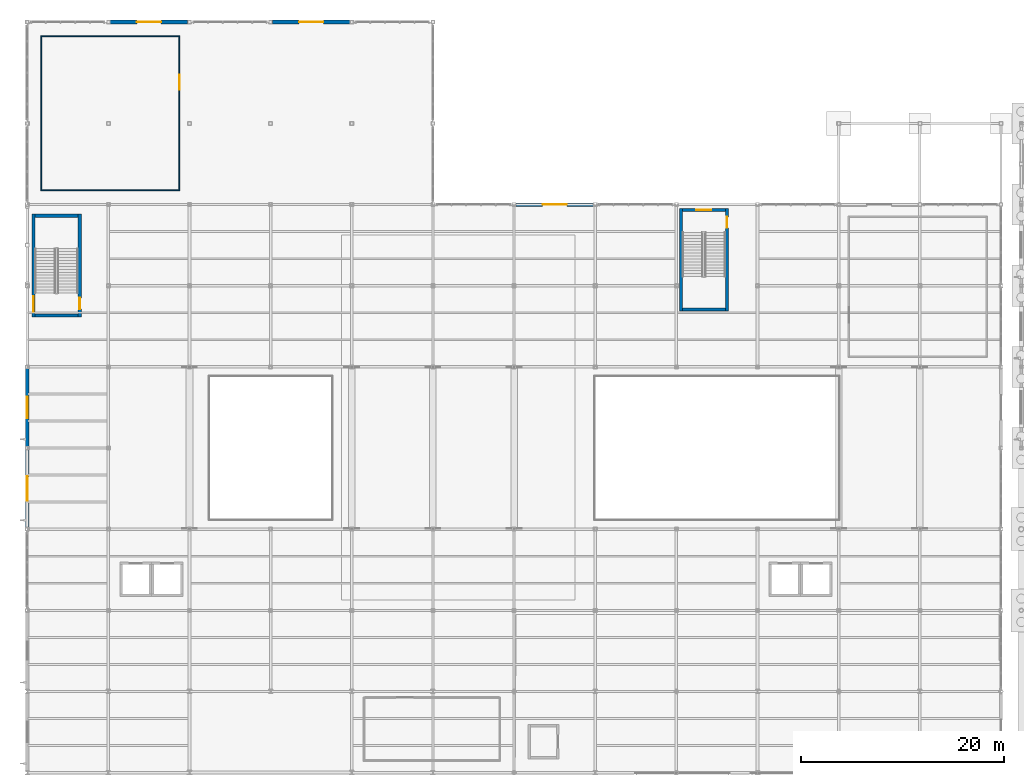
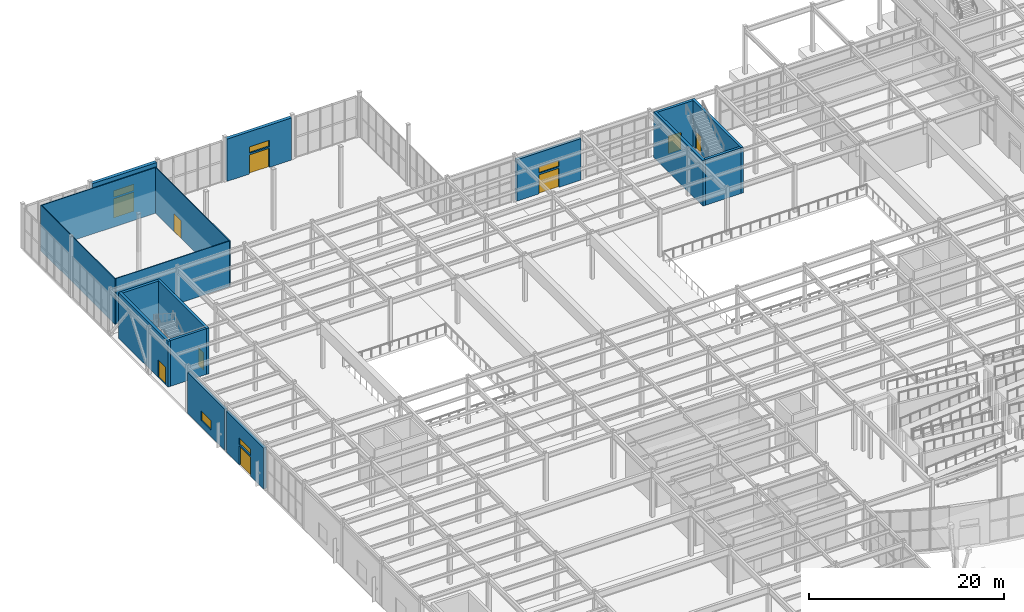
# One storey, part 62 of 82: 17 walls, 9 doors, 5 windows, 14 openings.
"""IFC4 building model written with IfcOpenShell, lengths in metres."""

from ifc_helpers import new_model, si_unit, direction, frame, frame_2d, origin, place, context, subcontext, project, spatial, rectangle, extrude, material, layer, layer_set, type_object, element, fill, save


model = new_model("IFC4")

# Units and contexts
model_context = context("Model", 3, precision=1e-05, world=origin(), true_north=direction((0.0, 1.0)))
body_context = subcontext(model_context, "Body", "Model", "MODEL_VIEW")
ifc_project = project(units=[si_unit("LENGTHUNIT", "METRE"), si_unit("AREAUNIT", "SQUARE_METRE"), si_unit("VOLUMEUNIT", "CUBIC_METRE"), si_unit("PLANEANGLEUNIT", "RADIAN"), si_unit("MASSUNIT", "GRAM", prefix="KILO")], contexts=[model_context])

# Site, building, storey
site_placement = place(None, origin())
site = spatial("IfcSite", under=ifc_project, at=site_placement, CompositionType="ELEMENT")
building_placement = place(site_placement, origin())
building = spatial("IfcBuilding", under=site, at=building_placement, Name="Drelvath Fold Interchange", CompositionType="ELEMENT")
storey_placement = place(building_placement, origin())
storey = spatial("IfcBuildingStorey", under=building, at=storey_placement, Name="L00", CompositionType="ELEMENT", Elevation=0.0)

# Wall
ifc_material_1 = material(Name="Concrete f'c 45 MPa (6500 psi)", Category="concrete")
ifc_layer_1 = layer(ifc_material_1, 0.300048828125, Name="Concrete f'c 45 MPa (6500 psi)")
ifc_layer_set_1 = layer_set([ifc_layer_1], Name="Concrete f'c 45 MPa (6500 psi)")
wall_type_1 = type_object("IfcWallType", Name="WL-CR300", PredefinedType="SHEAR", material=ifc_layer_set_1)
wall_1_placement = place(storey_placement, frame((4.75, 88.050048828125, 0.0), z_axis=(0.0, 0.0, 1.0), x_axis=(1.0, 0.0, 0.0)))
element("IfcWall", 1, at=wall_1_placement, inside=storey, type_object=wall_type_1, Name="ST-05 L00 south core wall", PredefinedType="SHEAR", context=body_context, shape_type="SweptSolid", body=[
    extrude(rectangle(XDim=4.280029296875, YDim=0.300048828125, at=frame_2d((2.14013671875, 0.0))), origin(), (0.0, 0.0, 1.0), 5.7548828125),
])

# Wall, opening, door
wall_2_placement = place(storey_placement, frame((9.179931640625, 87.89990234375, 0.0), z_axis=(0.0, 0.0, 1.0), x_axis=(0.0, 1.0, 0.0)))
wall_2 = element("IfcWall", 2, at=wall_2_placement, inside=storey, type_object=wall_type_1, Name="ST-05 L00 east core wall", PredefinedType="SHEAR", context=body_context, shape_type="SweptSolid", body=[
    extrude(rectangle(XDim=10.150146484375, YDim=0.300048828125, at=frame_2d((5.0751953125, 0.0))), origin(), (0.0, 0.0, 1.0), 5.7548828125),
])
opening_1_placement = place(wall_2_placement, frame((0.800048828125, 0.0, 0.0)))
opening_1 = element("IfcOpeningElement", 3, at=opening_1_placement, cuts=wall_2, Name="Opening D-L00-034", PredefinedType="OPENING", context=body_context, shape_type="SweptSolid", body=[
    extrude(rectangle(XDim=1.10009765625, YDim=2.14990234375, at=frame_2d((0.550048828125, 1.074951171875))), frame((0.0, 0.159912109375, 0.0), z_axis=(0.0, -1.0, 0.0), x_axis=(1.0, 0.0, 0.0)), (0.0, 0.0, 1.0), 0.320068359375),
])
ifc_material_2 = material(Name="Insulated Hollow Metal Door Assembly")
door_type_1 = type_object("IfcDoorType", Name="DR-ST1100", OperationType="NOTDEFINED", PredefinedType="DOOR", material=ifc_material_2)
door_1_placement = place(opening_1_placement, origin())
door_1 = element("IfcDoor", 4, at=door_1_placement, inside=storey, type_object=door_type_1, Name="ST-05 L00 stair fire door D-L00-034", OperationType="SINGLE_SWING_RIGHT", OverallHeight=2.14990234375, OverallWidth=1.10009765625, PredefinedType="DOOR", context=body_context, shape_type="SweptSolid", body=[
    extrude(rectangle(XDim=1.10009765625, YDim=2.14990234375, at=frame_2d((0.550048828125, 1.074951171875))), frame((0.0, 0.02490234375, 0.0), z_axis=(0.0, -1.0, 0.0), x_axis=(1.0, 0.0, 0.0)), (0.0, 0.0, 1.0), 0.050048828125),
])
fill(opening_1, door_1)

# Wall
wall_3_placement = place(storey_placement, frame((9.030029296875, 97.89990234375, 0.0), z_axis=(0.0, 0.0, 1.0), x_axis=(-1.0, 0.0, 0.0)))
element("IfcWall", 5, at=wall_3_placement, inside=storey, type_object=wall_type_1, Name="ST-05 L00 north core wall", PredefinedType="SHEAR", context=body_context, shape_type="SweptSolid", body=[
    extrude(rectangle(XDim=4.280029296875, YDim=0.300048828125, at=frame_2d((2.14013671875, 0.0))), origin(), (0.0, 0.0, 1.0), 5.7548828125),
])

# Wall, opening, door
wall_4_placement = place(storey_placement, frame((4.60009765625, 98.050048828125, 0.0), z_axis=(0.0, 0.0, 1.0), x_axis=(0.0, -1.0, 0.0)))
wall_4 = element("IfcWall", 6, at=wall_4_placement, inside=storey, type_object=wall_type_1, Name="ST-05 L00 west core wall", PredefinedType="SHEAR", context=body_context, shape_type="SweptSolid", body=[
    extrude(rectangle(XDim=10.150146484375, YDim=0.300048828125, at=frame_2d((5.0751953125, 0.0))), origin(), (0.0, 0.0, 1.0), 5.7548828125),
])
opening_2_placement = place(wall_4_placement, frame((8.10009765625, 0.0, 0.0)))
opening_2 = element("IfcOpeningElement", 7, at=opening_2_placement, cuts=wall_4, Name="Opening E-05", PredefinedType="OPENING", context=body_context, shape_type="SweptSolid", body=[
    extrude(rectangle(XDim=1.5, YDim=2.199951171875, at=frame_2d((0.75, 1.10009765625))), frame((0.0, 0.159912109375, 0.0), z_axis=(0.0, -1.0, 0.0), x_axis=(1.0, 0.0, 0.0)), (0.0, 0.0, 1.0), 0.320068359375),
])
door_type_2 = type_object("IfcDoorType", Name="DR-EX1500", OperationType="DOUBLE_DOOR_SINGLE_SWING", PredefinedType="DOOR", material=ifc_material_2)
door_2_placement = place(opening_2_placement, frame((1.5, 0.0, 0.0), z_axis=(0.0, 0.0, 1.0), x_axis=(-1.0, 0.0, 0.0)))
door_2 = element("IfcDoor", 8, at=door_2_placement, inside=storey, type_object=door_type_2, Name="Final exit discharge door E-05", OperationType="DOUBLE_DOOR_SINGLE_SWING", OverallHeight=2.199951171875, OverallWidth=1.5, PredefinedType="DOOR", context=body_context, shape_type="SweptSolid", body=[
    extrude(rectangle(XDim=1.5, YDim=2.199951171875, at=frame_2d((0.75, 1.10009765625))), frame((0.0, 0.02490234375, 0.0), z_axis=(0.0, -1.0, 0.0), x_axis=(1.0, 0.0, 0.0)), (0.0, 0.0, 1.0), 0.050048828125),
])
fill(opening_2, door_2)

# Wall
wall_5_placement = place(storey_placement, frame((68.60009765625, 88.64990234375, 0.0), z_axis=(0.0, 0.0, 1.0), x_axis=(1.0, 0.0, 0.0)))
element("IfcWall", 9, at=wall_5_placement, inside=storey, type_object=wall_type_1, Name="ST-06 L00 south core wall", PredefinedType="SHEAR", context=body_context, shape_type="SweptSolid", body=[
    extrude(rectangle(XDim=4.219970703125, YDim=0.300048828125, at=frame_2d((2.10986328125, 0.0))), origin(), (0.0, 0.0, 1.0), 5.7548828125),
])

# Wall, opening, door
wall_6_placement = place(storey_placement, frame((72.969970703125, 88.5, 0.0), z_axis=(0.0, 0.0, 1.0), x_axis=(0.0, 1.0, 0.0)))
wall_6 = element("IfcWall", 10, at=wall_6_placement, inside=storey, type_object=wall_type_1, Name="ST-06 L00 east core wall", PredefinedType="SHEAR", context=body_context, shape_type="SweptSolid", body=[
    extrude(rectangle(XDim=10.10009765625, YDim=0.300048828125, at=frame_2d((5.050048828125, 0.0))), origin(), (0.0, 0.0, 1.0), 5.7548828125),
])
opening_3_placement = place(wall_6_placement, frame((8.199951171875, 0.0, 0.0)))
opening_3 = element("IfcOpeningElement", 11, at=opening_3_placement, cuts=wall_6, Name="Opening D-L00-039", PredefinedType="OPENING", context=body_context, shape_type="SweptSolid", body=[
    extrude(rectangle(XDim=1.10009765625, YDim=2.14990234375, at=frame_2d((0.550048828125, 1.074951171875))), frame((0.0, 0.159912109375, 0.0), z_axis=(0.0, -1.0, 0.0), x_axis=(1.0, 0.0, 0.0)), (0.0, 0.0, 1.0), 0.320068359375),
])
door_3_placement = place(opening_3_placement, origin())
door_3 = element("IfcDoor", 12, at=door_3_placement, inside=storey, type_object=door_type_1, Name="ST-06 L00 stair fire door D-L00-039", OperationType="SINGLE_SWING_LEFT", OverallHeight=2.14990234375, OverallWidth=1.10009765625, PredefinedType="DOOR", context=body_context, shape_type="SweptSolid", body=[
    extrude(rectangle(XDim=1.10009765625, YDim=2.14990234375, at=frame_2d((0.550048828125, 1.074951171875))), frame((0.0, 0.02490234375, 0.0), z_axis=(0.0, -1.0, 0.0), x_axis=(1.0, 0.0, 0.0)), (0.0, 0.0, 1.0), 0.050048828125),
])
fill(opening_3, door_3)

wall_7_placement = place(storey_placement, frame((72.820068359375, 98.449951171875, 0.0), z_axis=(0.0, 0.0, 1.0), x_axis=(-1.0, 0.0, 0.0)))
wall_7 = element("IfcWall", 13, at=wall_7_placement, inside=storey, type_object=wall_type_1, Name="ST-06 L00 north core wall", PredefinedType="SHEAR", context=body_context, shape_type="SweptSolid", body=[
    extrude(rectangle(XDim=4.219970703125, YDim=0.300048828125, at=frame_2d((2.10986328125, 0.0))), origin(), (0.0, 0.0, 1.0), 5.7548828125),
])
opening_4_placement = place(wall_7_placement, frame((1.3701171875, 0.0, 0.0)))
opening_4 = element("IfcOpeningElement", 14, at=opening_4_placement, cuts=wall_7, Name="Opening E-06", PredefinedType="OPENING", context=body_context, shape_type="SweptSolid", body=[
    extrude(rectangle(XDim=1.5, YDim=2.199951171875, at=frame_2d((0.75, 1.10009765625))), frame((0.0, 0.159912109375, 0.0), z_axis=(0.0, -1.0, 0.0), x_axis=(1.0, 0.0, 0.0)), (0.0, 0.0, 1.0), 0.320068359375),
])
door_4_placement = place(opening_4_placement, frame((1.5, 0.0, 0.0), z_axis=(0.0, 0.0, 1.0), x_axis=(-1.0, 0.0, 0.0)))
door_4 = element("IfcDoor", 15, at=door_4_placement, inside=storey, type_object=door_type_2, Name="Final exit discharge door E-06", OperationType="DOUBLE_DOOR_SINGLE_SWING", OverallHeight=2.199951171875, OverallWidth=1.5, PredefinedType="DOOR", context=body_context, shape_type="SweptSolid", body=[
    extrude(rectangle(XDim=1.5, YDim=2.199951171875, at=frame_2d((0.75, 1.10009765625))), frame((0.0, 0.02490234375, 0.0), z_axis=(0.0, -1.0, 0.0), x_axis=(1.0, 0.0, 0.0)), (0.0, 0.0, 1.0), 0.050048828125),
])
fill(opening_4, door_4)

# Wall
wall_8_placement = place(storey_placement, frame((68.449951171875, 98.60009765625, 0.0), z_axis=(0.0, 0.0, 1.0), x_axis=(0.0, -1.0, 0.0)))
element("IfcWall", 16, at=wall_8_placement, inside=storey, type_object=wall_type_1, Name="ST-06 L00 west core wall", PredefinedType="SHEAR", context=body_context, shape_type="SweptSolid", body=[
    extrude(rectangle(XDim=10.10009765625, YDim=0.300048828125, at=frame_2d((5.050048828125, 0.0))), origin(), (0.0, 0.0, 1.0), 5.7548828125),
])

# Wall, opening, window
ifc_material_3 = material(Name="Precast concrete f'c 40 MPa (6000 psi)", Category="concrete")
ifc_layer_2 = layer(ifc_material_3, 0.31494140625, Name="Precast concrete f'c 40 MPa (6000 psi)")
ifc_layer_set_2 = layer_set([ifc_layer_2], Name="Precast concrete f'c 40 MPa (6000 psi)")
wall_type_2 = type_object("IfcWallType", Name="WL-EXT315", PredefinedType="SOLIDWALL", material=ifc_layer_set_2)
wall_9_placement = place(storey_placement, frame((4.0, 75.174072265625, 0.0), z_axis=(0.0, 0.0, 1.0), x_axis=(0.0, 1.0, 0.0)))
wall_9 = element("IfcWall", 17, at=wall_9_placement, inside=storey, type_object=wall_type_2, Name="L00 exterior facade wall 21", PredefinedType="SOLIDWALL", context=body_context, shape_type="SweptSolid", body=[
    extrude(rectangle(XDim=7.65185546875, YDim=0.31494140625, at=frame_2d((3.825927734375, 0.0))), origin(), (0.0, 0.0, 1.0), 5.14990234375),
])
opening_5_placement = place(wall_9_placement, frame((2.77587890625, 0.0, 0.85009765625)))
opening_5 = element("IfcOpeningElement", 18, at=opening_5_placement, cuts=wall_9, Name="Opening W-L00-020", PredefinedType="OPENING", context=body_context, shape_type="SweptSolid", body=[
    extrude(rectangle(XDim=2.10009765625, YDim=1.14990234375, at=frame_2d((1.050048828125, 0.574951171875))), frame((0.0, 0.16748046875, 0.0), z_axis=(0.0, -1.0, 0.0), x_axis=(1.0, 0.0, 0.0)), (0.0, 0.0, 1.0), 0.3349609375),
])
ifc_material_4 = material(Name="Low-Iron Insulated Laminated Glass", Category="glass")
window_type_1 = type_object("IfcWindowType", Name="WN-210x115", PartitioningType="DOUBLE_PANEL_VERTICAL", PredefinedType="WINDOW", material=ifc_material_4)
window_1_placement = place(opening_5_placement, origin())
window_1 = element("IfcWindow", 19, at=window_1_placement, inside=storey, type_object=window_type_1, Name="Facade window W-L00-020", OverallHeight=1.14990234375, OverallWidth=2.10009765625, PartitioningType="SINGLE_PANEL", PredefinedType="WINDOW", context=body_context, shape_type="SweptSolid", body=[
    extrude(rectangle(XDim=2.10009765625, YDim=1.14990234375, at=frame_2d((1.050048828125, 0.574951171875))), frame((0.0, 0.030029296875, 0.0), z_axis=(0.0, -1.0, 0.0), x_axis=(1.0, 0.0, 0.0)), (0.0, 0.0, 1.0), 0.06005859375),
])
fill(opening_5, window_1)

# Wall, openings, door, window
ifc_layer_3 = layer(ifc_material_3, 0.340087890625, Name="Precast concrete f'c 40 MPa (6000 psi)")
ifc_layer_set_3 = layer_set([ifc_layer_3], Name="Precast concrete f'c 40 MPa (6000 psi)")
wall_type_3 = type_object("IfcWallType", Name="WL-EXT340", PredefinedType="SOLIDWALL", material=ifc_layer_set_3)
wall_10_placement = place(storey_placement, frame((52.174072265625, 99.0, 0.0), z_axis=(0.0, 0.0, 1.0), x_axis=(1.0, 0.0, 0.0)))
wall_10 = element("IfcWall", 20, at=wall_10_placement, inside=storey, type_object=wall_type_3, Name="L00 exterior facade wall 6", PredefinedType="SOLIDWALL", context=body_context, shape_type="SweptSolid", body=[
    extrude(rectangle(XDim=7.65185546875, YDim=0.340087890625, at=frame_2d((3.825927734375, 0.0))), origin(), (0.0, 0.0, 1.0), 5.199951171875),
])
opening_6_placement = place(wall_10_placement, frame((2.6259765625, 0.0, 0.0)))
opening_6 = element("IfcOpeningElement", 21, at=opening_6_placement, cuts=wall_10, Name="Opening E-14", PredefinedType="OPENING", context=body_context, shape_type="SweptSolid", body=[
    extrude(rectangle(XDim=2.39990234375, YDim=2.39990234375, at=frame_2d((1.199951171875, 1.199951171875))), frame((0.0, 0.179931640625, 0.0), z_axis=(0.0, -1.0, 0.0), x_axis=(1.0, 0.0, 0.0)), (0.0, 0.0, 1.0), 0.360107421875),
])
opening_7_placement = place(wall_10_placement, frame((2.6259765625, 0.0, 2.60009765625)))
opening_7 = element("IfcOpeningElement", 22, at=opening_7_placement, cuts=wall_10, Name="Opening W-L00-006", PredefinedType="OPENING", context=body_context, shape_type="SweptSolid", body=[
    extrude(rectangle(XDim=2.39990234375, YDim=0.800048828125, at=frame_2d((1.199951171875, 0.39990234375))), frame((0.0, 0.179931640625, 0.0), z_axis=(0.0, -1.0, 0.0), x_axis=(1.0, 0.0, 0.0)), (0.0, 0.0, 1.0), 0.360107421875),
])
ifc_material_5 = material(Name="Anodized Aluminium Glazed Door Assembly", Category="aluminium")
door_type_3 = type_object("IfcDoorType", Name="DR-EN2400", OperationType="DOUBLE_DOOR_SINGLE_SWING", PredefinedType="DOOR", material=ifc_material_5)
door_5_placement = place(opening_6_placement, origin())
door_5 = element("IfcDoor", 23, at=door_5_placement, inside=storey, type_object=door_type_3, Name="Grade pedestrian entrance and final exit door E-14", OperationType="DOUBLE_DOOR_SINGLE_SWING", OverallHeight=2.39990234375, OverallWidth=2.39990234375, PredefinedType="DOOR", context=body_context, shape_type="SweptSolid", body=[
    extrude(rectangle(XDim=2.39990234375, YDim=2.39990234375, at=frame_2d((1.199951171875, 1.199951171875))), frame((0.0, 0.02490234375, 0.0), z_axis=(0.0, -1.0, 0.0), x_axis=(1.0, 0.0, 0.0)), (0.0, 0.0, 1.0), 0.050048828125),
])
fill(opening_6, door_5)
window_type_2 = type_object("IfcWindowType", Name="WN-TR240x80", PartitioningType="SINGLE_PANEL", PredefinedType="LIGHTDOME", material=ifc_material_4)
window_2_placement = place(opening_7_placement, origin())
window_2 = element("IfcWindow", 24, at=window_2_placement, inside=storey, type_object=window_type_2, Name="Entrance transom window W-L00-006", OverallHeight=0.800048828125, OverallWidth=2.39990234375, PartitioningType="SINGLE_PANEL", PredefinedType="LIGHTDOME", context=body_context, shape_type="SweptSolid", body=[
    extrude(rectangle(XDim=2.39990234375, YDim=0.800048828125, at=frame_2d((1.199951171875, 0.39990234375))), frame((0.0, 0.030029296875, 0.0), z_axis=(0.0, -1.0, 0.0), x_axis=(1.0, 0.0, 0.0)), (0.0, 0.0, 1.0), 0.06005859375),
])
fill(opening_7, window_2)

wall_11_placement = place(storey_placement, frame((4.0, 67.174072265625, 0.0), z_axis=(0.0, 0.0, 1.0), x_axis=(0.0, 1.0, 0.0)))
wall_11 = element("IfcWall", 25, at=wall_11_placement, inside=storey, type_object=wall_type_3, Name="L00 exterior facade wall 20", PredefinedType="SOLIDWALL", context=body_context, shape_type="SweptSolid", body=[
    extrude(rectangle(XDim=7.65185546875, YDim=0.340087890625, at=frame_2d((3.825927734375, 0.0))), origin(), (0.0, 0.0, 1.0), 5.14990234375),
])
opening_8_placement = place(wall_11_placement, frame((2.6259765625, 0.0, 0.0)))
opening_8 = element("IfcOpeningElement", 26, at=opening_8_placement, cuts=wall_11, Name="Opening E-16", PredefinedType="OPENING", context=body_context, shape_type="SweptSolid", body=[
    extrude(rectangle(XDim=2.39990234375, YDim=2.39990234375, at=frame_2d((1.199951171875, 1.199951171875))), frame((0.0, 0.179931640625, 0.0), z_axis=(0.0, -1.0, 0.0), x_axis=(1.0, 0.0, 0.0)), (0.0, 0.0, 1.0), 0.360107421875),
])
opening_9_placement = place(wall_11_placement, frame((2.6259765625, 0.0, 2.60009765625)))
opening_9 = element("IfcOpeningElement", 27, at=opening_9_placement, cuts=wall_11, Name="Opening W-L00-019", PredefinedType="OPENING", context=body_context, shape_type="SweptSolid", body=[
    extrude(rectangle(XDim=2.39990234375, YDim=0.800048828125, at=frame_2d((1.199951171875, 0.39990234375))), frame((0.0, 0.179931640625, 0.0), z_axis=(0.0, -1.0, 0.0), x_axis=(1.0, 0.0, 0.0)), (0.0, 0.0, 1.0), 0.360107421875),
])
door_6_placement = place(opening_8_placement, origin())
door_6 = element("IfcDoor", 28, at=door_6_placement, inside=storey, type_object=door_type_3, Name="Grade pedestrian entrance and final exit door E-16", OperationType="DOUBLE_DOOR_SINGLE_SWING", OverallHeight=2.39990234375, OverallWidth=2.39990234375, PredefinedType="DOOR", context=body_context, shape_type="SweptSolid", body=[
    extrude(rectangle(XDim=2.39990234375, YDim=2.39990234375, at=frame_2d((1.199951171875, 1.199951171875))), frame((0.0, 0.02490234375, 0.0), z_axis=(0.0, -1.0, 0.0), x_axis=(1.0, 0.0, 0.0)), (0.0, 0.0, 1.0), 0.050048828125),
])
fill(opening_8, door_6)
window_3_placement = place(opening_9_placement, origin())
window_3 = element("IfcWindow", 29, at=window_3_placement, inside=storey, type_object=window_type_2, Name="Entrance transom window W-L00-019", OverallHeight=0.800048828125, OverallWidth=2.39990234375, PartitioningType="SINGLE_PANEL", PredefinedType="LIGHTDOME", context=body_context, shape_type="SweptSolid", body=[
    extrude(rectangle(XDim=2.39990234375, YDim=0.800048828125, at=frame_2d((1.199951171875, 0.39990234375))), frame((0.0, 0.030029296875, 0.0), z_axis=(0.0, -1.0, 0.0), x_axis=(1.0, 0.0, 0.0)), (0.0, 0.0, 1.0), 0.06005859375),
])
fill(opening_9, window_3)

ifc_layer_4 = layer(ifc_material_3, 0.3798828125, Name="Precast concrete f'c 40 MPa (6000 psi)")
ifc_layer_set_4 = layer_set([ifc_layer_4], Name="Precast concrete f'c 40 MPa (6000 psi)")
wall_type_4 = type_object("IfcWallType", Name="WL-EXT380", PredefinedType="SOLIDWALL", material=ifc_layer_set_4)
wall_12_placement = place(storey_placement, frame((12.174072265625, 117.0, 0.0), z_axis=(0.0, 0.0, 1.0), x_axis=(1.0, 0.0, 0.0)))
wall_12 = element("IfcWall", 30, at=wall_12_placement, inside=storey, type_object=wall_type_4, Name="L00 exterior facade wall 4", PredefinedType="SOLIDWALL", context=body_context, shape_type="SweptSolid", body=[
    extrude(rectangle(XDim=7.65185546875, YDim=0.3798828125, at=frame_2d((3.825927734375, 0.0))), origin(), (0.0, 0.0, 1.0), 5.300048828125),
])
opening_10_placement = place(wall_12_placement, frame((2.6259765625, 0.0, 0.0)))
opening_10 = element("IfcOpeningElement", 31, at=opening_10_placement, cuts=wall_12, Name="Opening E-12", PredefinedType="OPENING", context=body_context, shape_type="SweptSolid", body=[
    extrude(rectangle(XDim=2.39990234375, YDim=2.39990234375, at=frame_2d((1.199951171875, 1.199951171875))), frame((0.0, 0.199951171875, 0.0), z_axis=(0.0, -1.0, 0.0), x_axis=(1.0, 0.0, 0.0)), (0.0, 0.0, 1.0), 0.39990234375),
])
opening_11_placement = place(wall_12_placement, frame((2.6259765625, 0.0, 2.60009765625)))
opening_11 = element("IfcOpeningElement", 32, at=opening_11_placement, cuts=wall_12, Name="Opening W-L00-004", PredefinedType="OPENING", context=body_context, shape_type="SweptSolid", body=[
    extrude(rectangle(XDim=2.39990234375, YDim=0.800048828125, at=frame_2d((1.199951171875, 0.39990234375))), frame((0.0, 0.199951171875, 0.0), z_axis=(0.0, -1.0, 0.0), x_axis=(1.0, 0.0, 0.0)), (0.0, 0.0, 1.0), 0.39990234375),
])
door_7_placement = place(opening_10_placement, origin())
door_7 = element("IfcDoor", 33, at=door_7_placement, inside=storey, type_object=door_type_3, Name="Grade pedestrian entrance and final exit door E-12", OperationType="DOUBLE_DOOR_SINGLE_SWING", OverallHeight=2.39990234375, OverallWidth=2.39990234375, PredefinedType="DOOR", context=body_context, shape_type="SweptSolid", body=[
    extrude(rectangle(XDim=2.39990234375, YDim=2.39990234375, at=frame_2d((1.199951171875, 1.199951171875))), frame((0.0, 0.02490234375, 0.0), z_axis=(0.0, -1.0, 0.0), x_axis=(1.0, 0.0, 0.0)), (0.0, 0.0, 1.0), 0.050048828125),
])
fill(opening_10, door_7)
window_4_placement = place(opening_11_placement, origin())
window_4 = element("IfcWindow", 34, at=window_4_placement, inside=storey, type_object=window_type_2, Name="Entrance transom window W-L00-004", OverallHeight=0.800048828125, OverallWidth=2.39990234375, PartitioningType="SINGLE_PANEL", PredefinedType="LIGHTDOME", context=body_context, shape_type="SweptSolid", body=[
    extrude(rectangle(XDim=2.39990234375, YDim=0.800048828125, at=frame_2d((1.199951171875, 0.39990234375))), frame((0.0, 0.030029296875, 0.0), z_axis=(0.0, -1.0, 0.0), x_axis=(1.0, 0.0, 0.0)), (0.0, 0.0, 1.0), 0.06005859375),
])
fill(opening_11, window_4)

wall_13_placement = place(storey_placement, frame((28.174072265625, 117.0, 0.0), z_axis=(0.0, 0.0, 1.0), x_axis=(1.0, 0.0, 0.0)))
wall_13 = element("IfcWall", 35, at=wall_13_placement, inside=storey, type_object=wall_type_4, Name="L00 exterior facade wall 5", PredefinedType="SOLIDWALL", context=body_context, shape_type="SweptSolid", body=[
    extrude(rectangle(XDim=7.65185546875, YDim=0.3798828125, at=frame_2d((3.825927734375, 0.0))), origin(), (0.0, 0.0, 1.0), 5.300048828125),
])
opening_12_placement = place(wall_13_placement, frame((2.6259765625, 0.0, 0.0)))
opening_12 = element("IfcOpeningElement", 36, at=opening_12_placement, cuts=wall_13, Name="Opening E-13", PredefinedType="OPENING", context=body_context, shape_type="SweptSolid", body=[
    extrude(rectangle(XDim=2.39990234375, YDim=2.39990234375, at=frame_2d((1.199951171875, 1.199951171875))), frame((0.0, 0.199951171875, 0.0), z_axis=(0.0, -1.0, 0.0), x_axis=(1.0, 0.0, 0.0)), (0.0, 0.0, 1.0), 0.39990234375),
])
opening_13_placement = place(wall_13_placement, frame((2.6259765625, 0.0, 2.60009765625)))
opening_13 = element("IfcOpeningElement", 37, at=opening_13_placement, cuts=wall_13, Name="Opening W-L00-005", PredefinedType="OPENING", context=body_context, shape_type="SweptSolid", body=[
    extrude(rectangle(XDim=2.39990234375, YDim=0.800048828125, at=frame_2d((1.199951171875, 0.39990234375))), frame((0.0, 0.199951171875, 0.0), z_axis=(0.0, -1.0, 0.0), x_axis=(1.0, 0.0, 0.0)), (0.0, 0.0, 1.0), 0.39990234375),
])
door_8_placement = place(opening_12_placement, origin())
door_8 = element("IfcDoor", 38, at=door_8_placement, inside=storey, type_object=door_type_3, Name="Grade pedestrian entrance and final exit door E-13", OperationType="DOUBLE_DOOR_SINGLE_SWING", OverallHeight=2.39990234375, OverallWidth=2.39990234375, PredefinedType="DOOR", context=body_context, shape_type="SweptSolid", body=[
    extrude(rectangle(XDim=2.39990234375, YDim=2.39990234375, at=frame_2d((1.199951171875, 1.199951171875))), frame((0.0, 0.02490234375, 0.0), z_axis=(0.0, -1.0, 0.0), x_axis=(1.0, 0.0, 0.0)), (0.0, 0.0, 1.0), 0.050048828125),
])
fill(opening_12, door_8)
window_5_placement = place(opening_13_placement, origin())
window_5 = element("IfcWindow", 39, at=window_5_placement, inside=storey, type_object=window_type_2, Name="Entrance transom window W-L00-005", OverallHeight=0.800048828125, OverallWidth=2.39990234375, PartitioningType="SINGLE_PANEL", PredefinedType="LIGHTDOME", context=body_context, shape_type="SweptSolid", body=[
    extrude(rectangle(XDim=2.39990234375, YDim=0.800048828125, at=frame_2d((1.199951171875, 0.39990234375))), frame((0.0, 0.030029296875, 0.0), z_axis=(0.0, -1.0, 0.0), x_axis=(1.0, 0.0, 0.0)), (0.0, 0.0, 1.0), 0.06005859375),
])
fill(opening_13, window_5)

# Wall
ifc_material_6 = material(Name="Acoustic Gypsum Board Partition Assembly")
ifc_layer_5 = layer(ifc_material_6, 0.10009765625, Name="Acoustic Gypsum Board Partition Assembly")
ifc_layer_set_5 = layer_set([ifc_layer_5], Name="Acoustic Gypsum Board Partition Assembly")
wall_type_5 = type_object("IfcWallType", Name="WL-PT100", PredefinedType="PARTITIONING", material=ifc_layer_set_5)
wall_14_placement = place(storey_placement, frame((5.449951171875, 100.39990234375, 0.0), z_axis=(0.0, 0.0, 1.0), x_axis=(1.0, 0.0, 0.0)))
element("IfcWall", 40, at=wall_14_placement, inside=storey, type_object=wall_type_5, Name="Concourse Espresso Bar and Florist S partition", PredefinedType="PARTITIONING", context=body_context, shape_type="SweptSolid", body=[
    extrude(rectangle(XDim=13.5, YDim=0.10009765625, at=frame_2d((6.75, 0.0))), origin(), (0.0, 0.0, 1.0), 5.72998046875),
])

# Wall, opening, door
wall_15_placement = place(storey_placement, frame((19.0, 100.35009765625, 0.0), z_axis=(0.0, 0.0, 1.0), x_axis=(0.0, 1.0, 0.0)))
wall_15 = element("IfcWall", 41, at=wall_15_placement, inside=storey, type_object=wall_type_5, Name="Concourse Espresso Bar and Florist E partition", PredefinedType="PARTITIONING", context=body_context, shape_type="SweptSolid", body=[
    extrude(rectangle(XDim=15.2998046875, YDim=0.10009765625, at=frame_2d((7.64990234375, 0.0))), origin(), (0.0, 0.0, 1.0), 5.72998046875),
])
opening_14_placement = place(wall_15_placement, frame((9.97998046875, 0.0, 0.0)))
opening_14 = element("IfcOpeningElement", 42, at=opening_14_placement, cuts=wall_15, Name="Opening D-L00-098", PredefinedType="OPENING", context=body_context, shape_type="SweptSolid", body=[
    extrude(rectangle(XDim=1.4599609375, YDim=2.199951171875, at=frame_2d((0.72998046875, 1.10009765625))), frame((0.0, 0.06005859375, 0.0), z_axis=(0.0, -1.0, 0.0), x_axis=(1.0, 0.0, 0.0)), (0.0, 0.0, 1.0), 0.1201171875),
])
door_type_4 = type_object("IfcDoorType", Name="DR-NR146", OperationType="DOUBLE_DOOR_SINGLE_SWING", PredefinedType="DOOR", material=ifc_material_5)
door_9_placement = place(opening_14_placement, origin())
door_9 = element("IfcDoor", 43, at=door_9_placement, inside=storey, type_object=door_type_4, Name="Concourse Espresso Bar and Florist door D-L00-098", OperationType="DOUBLE_DOOR_SINGLE_SWING", OverallHeight=2.199951171875, OverallWidth=1.4599609375, PredefinedType="DOOR", context=body_context, shape_type="SweptSolid", body=[
    extrude(rectangle(XDim=1.4599609375, YDim=2.199951171875, at=frame_2d((0.72998046875, 1.10009765625))), frame((0.0, 0.02490234375, 0.0), z_axis=(0.0, -1.0, 0.0), x_axis=(1.0, 0.0, 0.0)), (0.0, 0.0, 1.0), 0.050048828125),
])
fill(opening_14, door_9)

# Walls
wall_16_placement = place(storey_placement, frame((18.949951171875, 115.60009765625, 0.0), z_axis=(0.0, 0.0, 1.0), x_axis=(-1.0, 0.0, 0.0)))
element("IfcWall", 44, at=wall_16_placement, inside=storey, type_object=wall_type_5, Name="Concourse Espresso Bar and Florist N partition", PredefinedType="PARTITIONING", context=body_context, shape_type="SweptSolid", body=[
    extrude(rectangle(XDim=13.5, YDim=0.10009765625, at=frame_2d((6.75, 0.0))), origin(), (0.0, 0.0, 1.0), 5.72998046875),
])
wall_17_placement = place(storey_placement, frame((5.39990234375, 115.64990234375, 0.0), z_axis=(0.0, 0.0, 1.0), x_axis=(0.0, -1.0, 0.0)))
element("IfcWall", 45, at=wall_17_placement, inside=storey, type_object=wall_type_5, Name="Concourse Espresso Bar and Florist W partition", PredefinedType="PARTITIONING", context=body_context, shape_type="SweptSolid", body=[
    extrude(rectangle(XDim=15.2998046875, YDim=0.10009765625, at=frame_2d((7.64990234375, 0.0))), origin(), (0.0, 0.0, 1.0), 5.72998046875),
])

save(model, "model.ifc")
